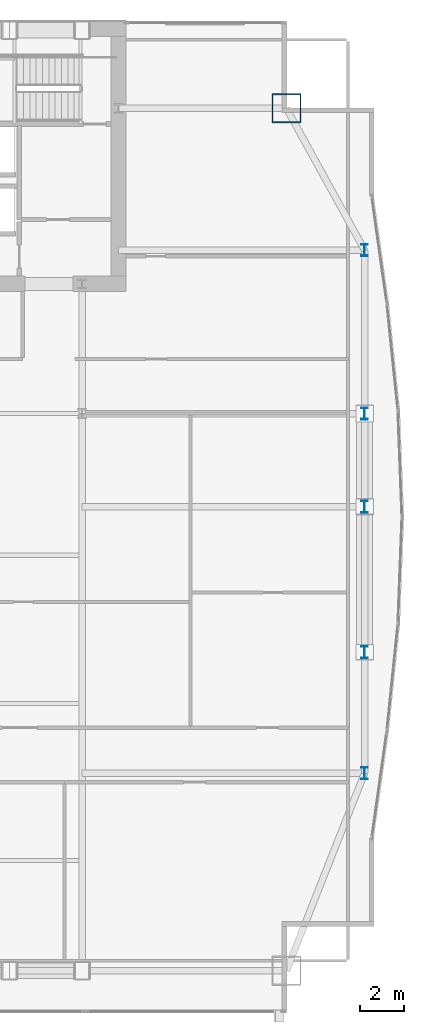
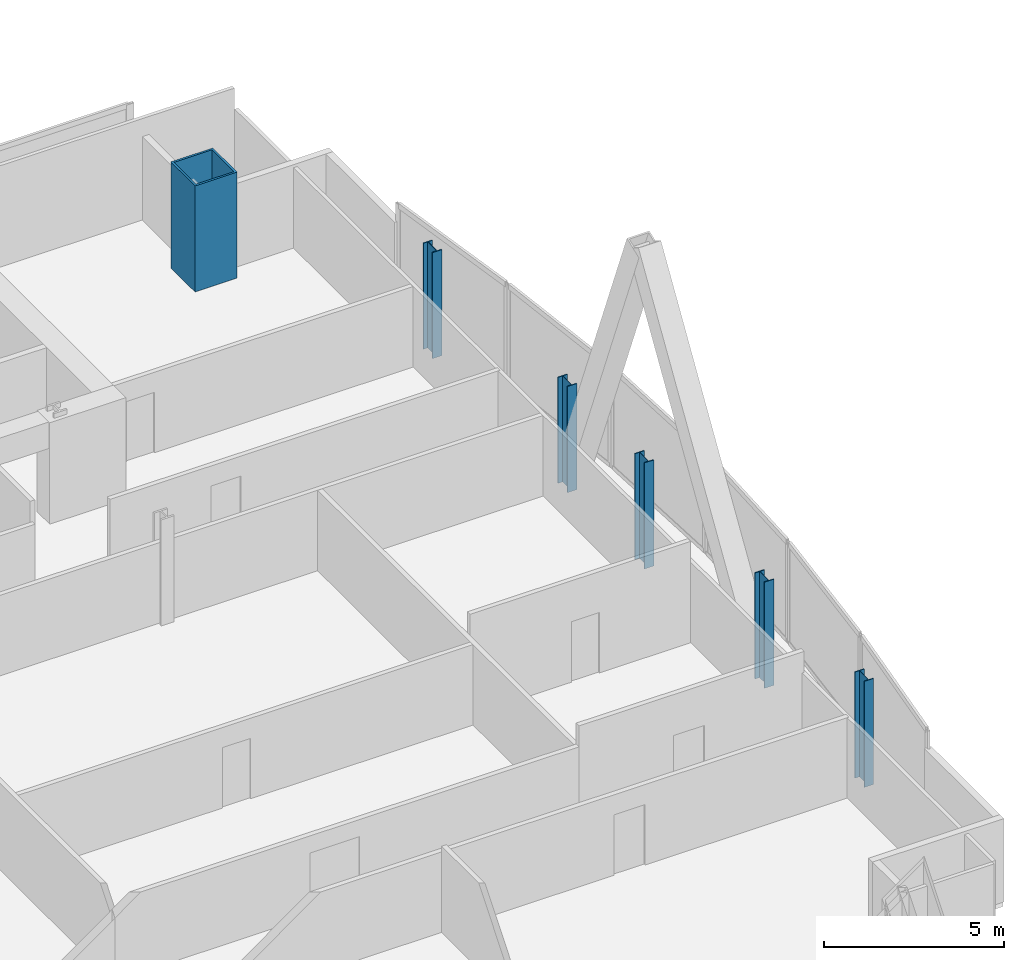
# One storey, part 4 of 30: 6 columns.
"""IFC4 building model written with IfcOpenShell, lengths in metres."""

from ifc_helpers import new_model, si_unit, direction, frame, origin, origin_2d, place, context, subcontext, project, spatial, hollow_rectangle, i_section, extrude, material, material_profile, profile_set, type_object, element, save


model = new_model("IFC4")

# Units and contexts
model_context = context("Model", 3, precision=1e-05, world=origin(), true_north=direction((0.0, 1.0)))
body_context = subcontext(model_context, "Body", "Model", "MODEL_VIEW")
ifc_project = project(units=[si_unit("LENGTHUNIT", "METRE"), si_unit("AREAUNIT", "SQUARE_METRE"), si_unit("VOLUMEUNIT", "CUBIC_METRE"), si_unit("PLANEANGLEUNIT", "RADIAN"), si_unit("MASSUNIT", "GRAM", prefix="KILO")], contexts=[model_context])

# Site, building, storey
site_placement = place(None, origin())
site = spatial("IfcSite", under=ifc_project, at=site_placement, CompositionType="ELEMENT")
building_placement = place(site_placement, origin())
building = spatial("IfcBuilding", under=site, at=building_placement, Name="Khoronbel Lancet Exchange", CompositionType="ELEMENT")
storey_placement = place(building_placement, frame((0.0, 0.0, 147.0)))
storey = spatial("IfcBuildingStorey", under=building, at=storey_placement, Name="L36", CompositionType="ELEMENT", Elevation=147.0)

# Columns
ifc_material_1 = material(Name="Steel S355", Category="steel")
ifc_material_profile_1 = material_profile(ifc_material_1, i_section(OverallWidth=0.300048828125, OverallDepth=0.550048828125, WebThickness=0.014892578125, FlangeThickness=0.029052734375, at=origin_2d()), Name="HEB 550")
ifc_profile_set_1 = profile_set([ifc_material_profile_1], Name="Steel S355")
column_type_1 = type_object("IfcColumnType", Name="COL-LC1", PredefinedType="COLUMN", material=ifc_profile_set_1)
for number, where, z_axis, x_axis, name in (
    (1, (67.6298828125, 19.199951171875, 0.0), (0.0, 0.0, 1.0), (1.0, 0.0, 0.0), "Structural column EC-1 L36"),
    (2, (67.6298828125, 24.75, 0.0), (0.0, 0.0, 1.0), (1.0, 0.0, 0.0), "Structural column EC-2 L36"),
    (3, (67.6298828125, 31.425048828125, 0.0), (0.0, 0.0, 1.0), (1.0, 0.0, 0.0), "Structural column EC-M L36"),
    (4, (67.6298828125, 35.699951171875, 0.0), (0.0, 0.0, 1.0), (1.0, 0.0, 0.0), "Structural column EC-3 L36"),
    (5, (67.6298828125, 43.199951171875, 0.0), (0.0, 0.0, 1.0), (1.0, 0.0, 0.0), "Structural column EC-4 L36"),
):
    element("IfcColumn", number, at=place(storey_placement, frame(where, z_axis=z_axis, x_axis=x_axis)), inside=storey, type_object=column_type_1, Name=name, PredefinedType="COLUMN", context=body_context, shape_type="SweptSolid", body=[
        extrude(i_section(OverallWidth=0.300048828125, OverallDepth=0.550048828125, WebThickness=0.014892578125, FlangeThickness=0.029052734375, at=origin_2d()), origin(), (0.0, 0.0, 1.0), 3.60009765625),
    ])
ifc_material_2 = material(Name="Steel S460", Category="steel")
ifc_material_profile_2 = material_profile(ifc_material_2, hollow_rectangle(XDim=1.35009765625, YDim=1.35009765625, WallThickness=0.06494140625, at=origin_2d()), Name="BOX 1350x1350x65")
ifc_profile_set_2 = profile_set([ifc_material_profile_2], Name="Steel S460")
column_type_2 = type_object("IfcColumnType", Name="COL-MC4", PredefinedType="COLUMN", material=ifc_profile_set_2)
column_placement = place(storey_placement, frame((64.050048828125, 49.699951171875, 0.0), z_axis=(0.0, 0.0, 1.0), x_axis=(1.0, 0.0, 0.0)))
element("IfcColumn", 6, at=column_placement, inside=storey, type_object=column_type_2, Name="Structural column MC-NE L36", PredefinedType="COLUMN", context=body_context, shape_type="SweptSolid", body=[
    extrude(hollow_rectangle(XDim=1.35009765625, YDim=1.35009765625, WallThickness=0.06494140625, at=origin_2d()), origin(), (0.0, 0.0, 1.0), 3.60009765625),
])

save(model, "model.ifc")
